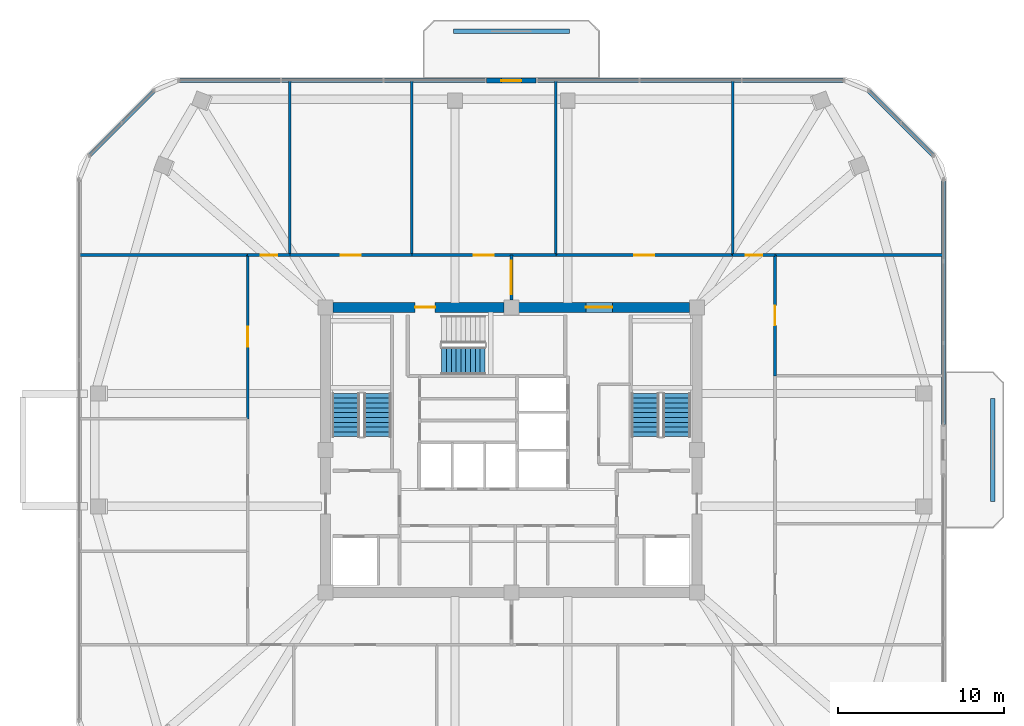
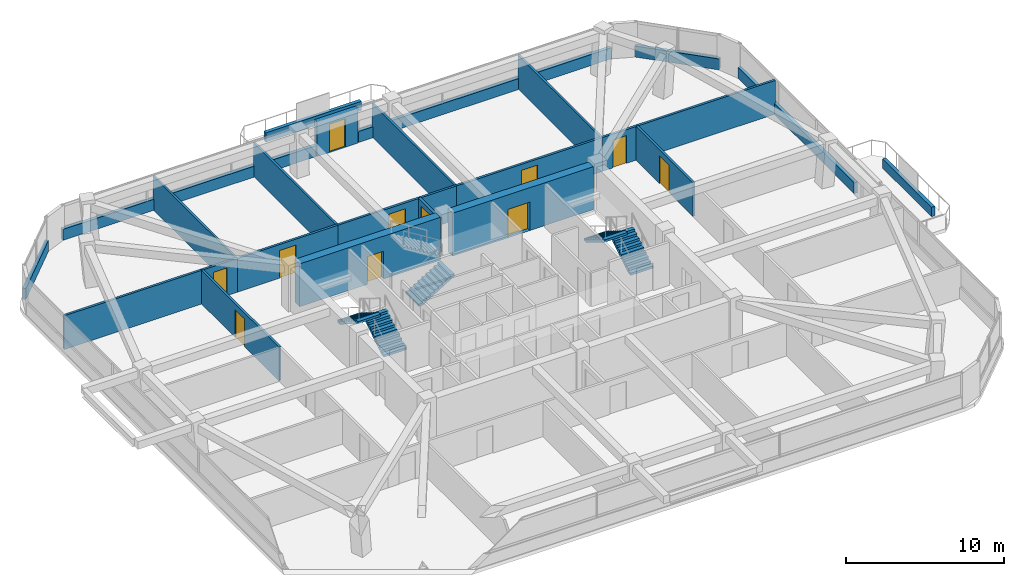
# One storey, part 11 of 14: 24 walls, 11 doors, 5 stair flights, 11 openings, 3 elements without a shape of their own.
"""IFC4 building model written with IfcOpenShell, lengths in metres."""

import ifcopenshell
import ifcopenshell.guid

model = None  # the IFC model being written
_history = None  # IfcOwnerHistory: only IFC2X3 demands one
_inside = {}  # id of a spatial element -> (the spatial element, [elements in it])
_under = {}  # id of a project, library or spatial element -> (it, [spatial elements below it])
_declared = {}  # id of a project -> (the project, [libraries it declares])
_typed = {}  # id of a type object -> (the type object, [elements of that type])
_made_of = {}  # id of a material, layer set ... -> (it, [elements and type objects made of it])


def new_model(schema):
    """Start an empty IFC model of exactly this schema.

    Asked for "IFC4X3", IfcOpenShell would pick the latest addendum, in which some entities
    have other attributes; the version numbers below select the first issue.
    IFC2X3 requires an IfcOwnerHistory on every rooted entity: one is made here for all.
    """
    global model, _history
    if schema == "IFC4X3":
        model = ifcopenshell.file(schema_version=(4, 3, 0, 0))
    else:
        model = ifcopenshell.file(schema=schema)
    _inside.clear()
    _under.clear()
    _declared.clear()
    _typed.clear()
    _made_of.clear()
    _history = None
    if model.schema == "IFC2X3":
        org = make("IfcOrganization", Name="unknown")
        user = make(
            "IfcPersonAndOrganization",
            ThePerson=make("IfcPerson", FamilyName="unknown"),
            TheOrganization=org,
        )
        app = make(
            "IfcApplication",
            ApplicationDeveloper=org,
            Version="unknown",
            ApplicationFullName="unknown",
            ApplicationIdentifier="unknown",
        )
        _history = make(
            "IfcOwnerHistory",
            OwningUser=user,
            OwningApplication=app,
            ChangeAction="ADDED",
            CreationDate=0,
        )
    return model


def make(cls, **values):
    """One entity of the class cls with the attributes given. An attribute that is None is left unset."""
    return model.create_entity(
        cls, **{name: value for name, value in values.items() if value is not None}
    )


def rooted(cls, **values):
    """An entity with a GlobalId (a new one), such as an element, a storey or a relation."""
    return make(cls, GlobalId=ifcopenshell.guid.new(), OwnerHistory=_history, **values)


def si_unit(unit_type, name, prefix=None):
    """IfcSIUnit, for example si_unit("LENGTHUNIT", "METRE", prefix="MILLI")."""
    return make("IfcSIUnit", UnitType=unit_type, Prefix=prefix, Name=name)


def derived_unit(unit_type, elements):
    """IfcDerivedUnit: a product of units, each with its exponent."""
    return make(
        "IfcDerivedUnit",
        Elements=[
            make("IfcDerivedUnitElement", Unit=unit, Exponent=power)
            for unit, power in elements
        ],
        UnitType=unit_type,
    )


def assignment(units):
    """IfcUnitAssignment: the units of a project."""
    return None if units is None else make("IfcUnitAssignment", Units=units)


def point(xyz):
    """IfcCartesianPoint."""
    return None if xyz is None else make("IfcCartesianPoint", Coordinates=xyz)


def direction(xyz):
    """IfcDirection."""
    return None if xyz is None else make("IfcDirection", DirectionRatios=xyz)


def frame(location, z_axis=None, x_axis=None):
    """IfcAxis2Placement3D, a coordinate frame: its origin and axes. An axis left out is left unset."""
    return make(
        "IfcAxis2Placement3D",
        Location=point(location),
        Axis=direction(z_axis),
        RefDirection=direction(x_axis),
    )


def frame_2d(location, x_axis=None):
    """IfcAxis2Placement2D, a coordinate frame in the plane: its origin and x axis."""
    return make(
        "IfcAxis2Placement2D", Location=point(location), RefDirection=direction(x_axis)
    )


def origin():
    """The frame at (0, 0, 0) with its axes left unset."""
    return frame((0.0, 0.0, 0.0))


def place(relative_to, where):
    """IfcLocalPlacement: puts the frame where relative to a parent placement (None: the world)."""
    return make(
        "IfcLocalPlacement", PlacementRelTo=relative_to, RelativePlacement=where
    )


def context(
    kind, dimensions, precision=None, world=None, true_north=None, identifier=None
):
    """IfcGeometricRepresentationContext, for example the 3D "Model" context."""
    return make(
        "IfcGeometricRepresentationContext",
        ContextIdentifier=identifier,
        ContextType=kind,
        CoordinateSpaceDimension=dimensions,
        Precision=precision,
        WorldCoordinateSystem=world,
        TrueNorth=true_north,
    )


def subcontext(parent, identifier, kind, view, scale=None):
    """IfcGeometricRepresentationSubContext, for example "Body" below "Model"."""
    return make(
        "IfcGeometricRepresentationSubContext",
        ContextIdentifier=identifier,
        ContextType=kind,
        ParentContext=parent,
        TargetScale=scale,
        TargetView=view,
    )


def project(units=None, contexts=None):
    """IfcProject with its units and contexts."""
    return rooted(
        "IfcProject",
        Name="project",
        RepresentationContexts=contexts,
        UnitsInContext=assignment(units),
    )


def spatial(cls, under=None, at=None, **own):
    """A site, building, storey or space (cls), placed at a placement, below another one or the project."""
    s = rooted(cls, ObjectPlacement=at, **own)
    if under is not None:
        _under.setdefault(under.id(), (under, []))[1].append(s)
    return s


def polyline(points):
    """IfcPolyline through the points."""
    return make("IfcPolyline", Points=[point(p) for p in points])


def profile(cls, at=None, kind="AREA", **sizes):
    """A parametric profile (cls). Its sizes go by their IFC names, for example OverallWidth=200.0."""
    return make(cls, ProfileType=kind, Position=at, **sizes)


def rectangle(**sizes):
    """IfcRectangleProfileDef."""
    return profile("IfcRectangleProfileDef", **sizes)


def outline(outer, holes=None, kind="AREA"):
    """IfcArbitraryClosedProfileDef: a profile drawn as a closed curve; with holes, ...WithVoids."""
    if holes is None:
        return make("IfcArbitraryClosedProfileDef", ProfileType=kind, OuterCurve=outer)
    return make(
        "IfcArbitraryProfileDefWithVoids",
        ProfileType=kind,
        OuterCurve=outer,
        InnerCurves=holes,
    )


def extrude(swept, where, along, depth):
    """IfcExtrudedAreaSolid: the profile swept, set in the frame where, extruded along a direction by depth."""
    return make(
        "IfcExtrudedAreaSolid",
        SweptArea=swept,
        Position=where,
        ExtrudedDirection=direction(along),
        Depth=depth,
    )


def shape(context_of_items, identifier, shape_type, items):
    """IfcShapeRepresentation: the items that make up one representation, for example the "Body"."""
    return make(
        "IfcShapeRepresentation",
        ContextOfItems=context_of_items,
        RepresentationIdentifier=identifier,
        RepresentationType=shape_type,
        Items=items,
    )


def material(Name=None, Category=None):
    """IfcMaterial."""
    return make("IfcMaterial", Name=Name, Category=Category)


def layer(
    of_material, thickness, ventilated=None, Name=None, Category=None, Priority=None
):
    """IfcMaterialLayer: one layer of a wall or slab, of a material (None: an air gap)."""
    return make(
        "IfcMaterialLayer",
        Material=of_material,
        LayerThickness=thickness,
        IsVentilated=ventilated,
        Name=Name,
        Category=Category,
        Priority=Priority,
    )


def layer_set(layers, Name=None):
    """IfcMaterialLayerSet."""
    return make("IfcMaterialLayerSet", MaterialLayers=layers, LayerSetName=Name)


def made_of(thing, what):
    """Note that an element or type object is made of a material, layer set ...; save() writes the relation."""
    if what is not None:
        _made_of.setdefault(what.id(), (what, []))[1].append(thing)
    return thing


def type_object(cls, material=None, **own):
    """A type object (cls), such as IfcWallType, which elements share."""
    return made_of(rooted(cls, **own), material)


def element(
    cls,
    number,
    at=None,
    inside=None,
    cuts=None,
    type_object=None,
    material=None,
    context=None,
    identifier="Body",
    shape_type=None,
    held_by="IfcProductDefinitionShape",
    body=None,
    shapes=None,
    **own,
):
    """One element of the class cls, such as IfcWall. Its Tag is "e" and its number.

    at: its placement. inside: the storey or other place that contains it. cuts: it is an
    opening in that element (IfcRelVoidsElement). A single representation is given by context,
    identifier, shape_type and body (its items); several are given by shapes. held_by: the class
    of the entity that holds the representations. save() writes the other relations.
    """
    e = rooted(cls, Tag="e%d" % number, ObjectPlacement=at, **own)
    if body is not None:
        shapes = [shape(context, identifier, shape_type, body)]
    if shapes is not None:
        e.Representation = make(held_by, Representations=shapes)
    if inside is not None:
        _inside.setdefault(inside.id(), (inside, []))[1].append(e)
    if cuts is not None:
        rooted(
            "IfcRelVoidsElement", RelatingBuildingElement=cuts, RelatedOpeningElement=e
        )
    if type_object is not None:
        _typed.setdefault(type_object.id(), (type_object, []))[1].append(e)
    return made_of(e, material)


def fill(opening, filler):
    """IfcRelFillsElement: the door or window that sits in an opening."""
    return rooted(
        "IfcRelFillsElement",
        RelatingOpeningElement=opening,
        RelatedBuildingElement=filler,
    )


def aggregate(whole, parts):
    """IfcRelAggregates: a whole, such as a stair, and the parts it consists of."""
    return rooted("IfcRelAggregates", RelatingObject=whole, RelatedObjects=parts)


def save(model, path):
    """Write the relations noted so far, then the file.

    IfcRelAggregates (storeys below a building ...), IfcRelContainedInSpatialStructure (elements
    in a storey), IfcRelDefinesByType, IfcRelAssociatesMaterial and IfcRelDeclares: one each for
    every whole, place, type object, material and project.
    """
    for whole, parts in _under.values():
        aggregate(whole, parts)
    for where, things in _inside.values():
        rooted(
            "IfcRelContainedInSpatialStructure",
            RelatedElements=things,
            RelatingStructure=where,
        )
    for kind, things in _typed.values():
        rooted("IfcRelDefinesByType", RelatedObjects=things, RelatingType=kind)
    for what, things in _made_of.values():
        rooted("IfcRelAssociatesMaterial", RelatedObjects=things, RelatingMaterial=what)
    for by, libraries in _declared.values():
        rooted("IfcRelDeclares", RelatingContext=by, RelatedDefinitions=libraries)
    model.write(path)


model = new_model("IFC4")

# Units and contexts
model_context = context("Model", 3, precision=1e-05, world=origin(), true_north=direction((0.0, 1.0)))
body_context = subcontext(model_context, "Body", "Model", "MODEL_VIEW")
ifc_project = project(units=[si_unit("LENGTHUNIT", "METRE"), si_unit("AREAUNIT", "SQUARE_METRE"), si_unit("VOLUMEUNIT", "CUBIC_METRE"), si_unit("PLANEANGLEUNIT", "RADIAN"), si_unit("MASSUNIT", "GRAM", prefix="KILO"), derived_unit("THERMALTRANSMITTANCEUNIT", [(si_unit("POWERUNIT", "WATT"), 1), (si_unit("LENGTHUNIT", "METRE"), -2), (si_unit("THERMODYNAMICTEMPERATUREUNIT", "KELVIN"), -1)])], contexts=[model_context])

# Site, building, storey
site_placement = place(None, origin())
site = spatial("IfcSite", under=ifc_project, at=site_placement, CompositionType="ELEMENT")
building_placement = place(site_placement, origin())
building = spatial("IfcBuilding", under=site, at=building_placement, Name="Koralith Skygarden Medical Center", CompositionType="ELEMENT")
storey_placement = place(building_placement, frame((0.0, 0.0, 210.780029296875)))
storey = spatial("IfcBuildingStorey", under=building, at=storey_placement, Name="L54", CompositionType="ELEMENT", Elevation=210.780029296875)

# Walls
ifc_material_1 = material(Name="Gypsum Board Partition")
ifc_layer_1 = layer(ifc_material_1, 0.14990234375)
ifc_layer_set_1 = layer_set([ifc_layer_1], Name="Gypsum Board Partition")
wall_type_1 = type_object("IfcWallType", Name="Clinical Acoustic Partition 150", PredefinedType="PARTITIONING", material=ifc_layer_set_1)
for number, where, z_axis, x_axis, name in (
    (1, (23.64990234375, 37.64990234375, 0.0), (0.0, 0.0, 1.0), (0.0, 1.0, 0.0), "L54 Clinical Acoustic Partition 150 W-PART-L54-N-01"),
    (2, (30.99609375, 37.64990234375, 0.0), (0.0, 0.0, 1.0), (0.0, 1.0, 0.0), "L54 Clinical Acoustic Partition 150 W-PART-L54-N-02"),
    (3, (39.680908203125, 37.64990234375, 0.0), (0.0, 0.0, 1.0), (0.0, 1.0, 0.0), "L54 Clinical Acoustic Partition 150 W-PART-L54-N-03"),
    (4, (50.35009765625, 37.64990234375, 0.0), (0.0, 0.0, 1.0), (0.0, 1.0, 0.0), "L54 Clinical Acoustic Partition 150 W-PART-L54-N-04"),
):
    element("IfcWall", number, at=place(storey_placement, frame(where, z_axis=z_axis, x_axis=x_axis)), inside=storey, type_object=wall_type_1, Name=name, PredefinedType="PARTITIONING", context=body_context, shape_type="SweptSolid", body=[
        extrude(rectangle(XDim=10.503173828125, YDim=0.14990234375, at=frame_2d((5.25146484375, 0.0))), origin(), (0.0, 0.0, 1.0), 2.60986328125),
    ])
ifc_layer_2 = layer(ifc_material_1, 0.1650390625)
ifc_layer_set_2 = layer_set([ifc_layer_2], Name="Gypsum Board Partition")
wall_type_2 = type_object("IfcWallType", Name="Clinical Corridor Partition 165", PredefinedType="PARTITIONING", material=ifc_layer_set_2)
for number, where, z_axis, x_axis, name in (
    (5, (10.965087890625, 37.64990234375, 0.0), (0.0, 0.0, 1.0), (1.0, 0.0, 0.0), "L54 Clinical Corridor Partition 165 W-WB-L54-NW"),
    (6, (52.89990234375, 37.64990234375, 0.0), (0.0, 0.0, 1.0), (1.0, 0.0, 0.0), "L54 Clinical Corridor Partition 165 W-WB-L54-NE"),
):
    element("IfcWall", number, at=place(storey_placement, frame(where, z_axis=z_axis, x_axis=x_axis)), inside=storey, type_object=wall_type_2, Name=name, PredefinedType="PARTITIONING", context=body_context, shape_type="SweptSolid", body=[
        extrude(rectangle(XDim=10.135009765625, YDim=0.1650390625, at=frame_2d((5.0673828125, 0.0))), origin(), (0.0, 0.0, 1.0), 2.60986328125),
    ])

# Wall, opening, door
wall_1_placement = place(storey_placement, frame((21.10009765625, 37.64990234375, 0.0), z_axis=(0.0, 0.0, 1.0), x_axis=(1.0, 0.0, 0.0)))
wall_1 = element("IfcWall", 7, at=wall_1_placement, inside=storey, type_object=wall_type_2, Name="L54 Clinical Corridor Partition 165 W-CORR-L54-N-01", PredefinedType="PARTITIONING", context=body_context, shape_type="SweptSolid", body=[
    extrude(rectangle(XDim=2.5498046875, YDim=0.1650390625, at=frame_2d((1.27490234375, 0.0))), origin(), (0.0, 0.0, 1.0), 2.60986328125),
])
opening_1_placement = place(wall_1_placement, frame((0.77490234375, 0.0, 0.0)))
opening_1 = element("IfcOpeningElement", 8, at=opening_1_placement, cuts=wall_1, Name="Opening D-SUP", PredefinedType="OPENING", context=body_context, shape_type="SweptSolid", body=[
    extrude(rectangle(XDim=1.0, YDim=2.14990234375, at=frame_2d((0.5, 1.074951171875))), frame((0.0, 0.092529296875, 0.0), z_axis=(0.0, -1.0, 0.0), x_axis=(1.0, 0.0, 0.0)), (0.0, 0.0, 1.0), 0.18505859375),
])
ifc_material_2 = material(Name="Aluminium 6063-T6", Category="aluminium")
door_type_1 = type_object("IfcDoorType", Name="Clinical Support Door D-SUP 1000", OperationType="NOTDEFINED", PredefinedType="DOOR", material=ifc_material_2)
door_1_placement = place(opening_1_placement, origin())
door_1 = element("IfcDoor", 9, at=door_1_placement, inside=storey, type_object=door_type_1, Name="L54 Pharmacy Bulk IV Supply Store 01 Door", OperationType="SINGLE_SWING_RIGHT", OverallHeight=2.14990234375, OverallWidth=1.0, PredefinedType="DOOR", context=body_context, shape_type="SweptSolid", body=[
    extrude(rectangle(XDim=1.0, YDim=2.14990234375, at=frame_2d((0.5, 1.074951171875))), frame((0.0, 0.02490234375, 0.0), z_axis=(0.0, -1.0, 0.0), x_axis=(1.0, 0.0, 0.0)), (0.0, 0.0, 1.0), 0.050048828125),
])
fill(opening_1, door_1)

wall_2_placement = place(storey_placement, frame((23.64990234375, 37.64990234375, 0.0), z_axis=(0.0, 0.0, 1.0), x_axis=(1.0, 0.0, 0.0)))
wall_2 = element("IfcWall", 10, at=wall_2_placement, inside=storey, type_object=wall_type_2, Name="L54 Clinical Corridor Partition 165 W-CORR-L54-N-02", PredefinedType="PARTITIONING", context=body_context, shape_type="SweptSolid", body=[
    extrude(rectangle(XDim=7.34619140625, YDim=0.1650390625, at=frame_2d((3.673095703125, 0.0))), origin(), (0.0, 0.0, 1.0), 2.60986328125),
])
opening_2_placement = place(wall_2_placement, frame((3.072998046875, 0.0, 0.0)))
opening_2 = element("IfcOpeningElement", 11, at=opening_2_placement, cuts=wall_2, Name="Opening D-CLN", PredefinedType="OPENING", context=body_context, shape_type="SweptSolid", body=[
    extrude(rectangle(XDim=1.199951171875, YDim=2.14990234375, at=frame_2d((0.60009765625, 1.074951171875))), frame((0.0, 0.092529296875, 0.0), z_axis=(0.0, -1.0, 0.0), x_axis=(1.0, 0.0, 0.0)), (0.0, 0.0, 1.0), 0.18505859375),
])
door_type_2 = type_object("IfcDoorType", Name="Clinical Corridor Door D-CLN 1200", OperationType="NOTDEFINED", PredefinedType="DOOR", material=ifc_material_2)
door_2_placement = place(opening_2_placement, origin())
door_2 = element("IfcDoor", 12, at=door_2_placement, inside=storey, type_object=door_type_2, Name="L54 Sterile Catheter Supply Store 02 Door", OperationType="SINGLE_SWING_LEFT", OverallHeight=2.14990234375, OverallWidth=1.199951171875, PredefinedType="DOOR", context=body_context, shape_type="SweptSolid", body=[
    extrude(rectangle(XDim=1.199951171875, YDim=2.14990234375, at=frame_2d((0.60009765625, 1.074951171875))), frame((0.0, 0.02490234375, 0.0), z_axis=(0.0, -1.0, 0.0), x_axis=(1.0, 0.0, 0.0)), (0.0, 0.0, 1.0), 0.050048828125),
])
fill(opening_2, door_2)

wall_3_placement = place(storey_placement, frame((30.99609375, 37.64990234375, 0.0), z_axis=(0.0, 0.0, 1.0), x_axis=(1.0, 0.0, 0.0)))
wall_3 = element("IfcWall", 13, at=wall_3_placement, inside=storey, type_object=wall_type_2, Name="L54 Clinical Corridor Partition 165 W-CORR-L54-N-03", PredefinedType="PARTITIONING", context=body_context, shape_type="SweptSolid", body=[
    extrude(rectangle(XDim=8.684814453125, YDim=0.1650390625, at=frame_2d((4.34228515625, 0.0))), origin(), (0.0, 0.0, 1.0), 2.60986328125),
])
opening_3_placement = place(wall_3_placement, frame((3.741943359375, 0.0, 0.0)))
opening_3 = element("IfcOpeningElement", 14, at=opening_3_placement, cuts=wall_3, Name="Opening D-CLN", PredefinedType="OPENING", context=body_context, shape_type="SweptSolid", body=[
    extrude(rectangle(XDim=1.199951171875, YDim=2.14990234375, at=frame_2d((0.60009765625, 1.074951171875))), frame((0.0, 0.092529296875, 0.0), z_axis=(0.0, -1.0, 0.0), x_axis=(1.0, 0.0, 0.0)), (0.0, 0.0, 1.0), 0.18505859375),
])
door_3_placement = place(opening_3_placement, origin())
door_3 = element("IfcDoor", 15, at=door_3_placement, inside=storey, type_object=door_type_2, Name="L54 Patient and Family Sky-Garden Day Lounge 03 Door", OperationType="SINGLE_SWING_RIGHT", OverallHeight=2.14990234375, OverallWidth=1.199951171875, PredefinedType="DOOR", context=body_context, shape_type="SweptSolid", body=[
    extrude(rectangle(XDim=1.199951171875, YDim=2.14990234375, at=frame_2d((0.60009765625, 1.074951171875))), frame((0.0, 0.02490234375, 0.0), z_axis=(0.0, -1.0, 0.0), x_axis=(1.0, 0.0, 0.0)), (0.0, 0.0, 1.0), 0.050048828125),
])
fill(opening_3, door_3)

wall_4_placement = place(storey_placement, frame((39.680908203125, 37.64990234375, 0.0), z_axis=(0.0, 0.0, 1.0), x_axis=(1.0, 0.0, 0.0)))
wall_4 = element("IfcWall", 16, at=wall_4_placement, inside=storey, type_object=wall_type_2, Name="L54 Clinical Corridor Partition 165 W-CORR-L54-N-04", PredefinedType="PARTITIONING", context=body_context, shape_type="SweptSolid", body=[
    extrude(rectangle(XDim=10.669189453125, YDim=0.1650390625, at=frame_2d((5.33447265625, 0.0))), origin(), (0.0, 0.0, 1.0), 2.60986328125),
])
opening_4_placement = place(wall_4_placement, frame((4.735107421875, 0.0, 0.0)))
opening_4 = element("IfcOpeningElement", 17, at=opening_4_placement, cuts=wall_4, Name="Opening D-CLN", PredefinedType="OPENING", context=body_context, shape_type="SweptSolid", body=[
    extrude(rectangle(XDim=1.199951171875, YDim=2.14990234375, at=frame_2d((0.60009765625, 1.074951171875))), frame((0.0, 0.092529296875, 0.0), z_axis=(0.0, -1.0, 0.0), x_axis=(1.0, 0.0, 0.0)), (0.0, 0.0, 1.0), 0.18505859375),
])
door_4_placement = place(opening_4_placement, origin())
door_4 = element("IfcDoor", 18, at=door_4_placement, inside=storey, type_object=door_type_2, Name="L54 Clinical Trials Huddle Room 04 Door", OperationType="SINGLE_SWING_LEFT", OverallHeight=2.14990234375, OverallWidth=1.199951171875, PredefinedType="DOOR", context=body_context, shape_type="SweptSolid", body=[
    extrude(rectangle(XDim=1.199951171875, YDim=2.14990234375, at=frame_2d((0.60009765625, 1.074951171875))), frame((0.0, 0.02490234375, 0.0), z_axis=(0.0, -1.0, 0.0), x_axis=(1.0, 0.0, 0.0)), (0.0, 0.0, 1.0), 0.050048828125),
])
fill(opening_4, door_4)

wall_5_placement = place(storey_placement, frame((50.35009765625, 37.64990234375, 0.0), z_axis=(0.0, 0.0, 1.0), x_axis=(1.0, 0.0, 0.0)))
wall_5 = element("IfcWall", 19, at=wall_5_placement, inside=storey, type_object=wall_type_2, Name="L54 Clinical Corridor Partition 165 W-CORR-L54-N-05", PredefinedType="PARTITIONING", context=body_context, shape_type="SweptSolid", body=[
    extrude(rectangle(XDim=2.5498046875, YDim=0.1650390625, at=frame_2d((1.27490234375, 0.0))), origin(), (0.0, 0.0, 1.0), 2.60986328125),
])
opening_5_placement = place(wall_5_placement, frame((0.77490234375, 0.0, 0.0)))
opening_5 = element("IfcOpeningElement", 20, at=opening_5_placement, cuts=wall_5, Name="Opening D-SUP", PredefinedType="OPENING", context=body_context, shape_type="SweptSolid", body=[
    extrude(rectangle(XDim=1.0, YDim=2.14990234375, at=frame_2d((0.5, 1.074951171875))), frame((0.0, 0.092529296875, 0.0), z_axis=(0.0, -1.0, 0.0), x_axis=(1.0, 0.0, 0.0)), (0.0, 0.0, 1.0), 0.18505859375),
])
door_5_placement = place(opening_5_placement, origin())
door_5 = element("IfcDoor", 21, at=door_5_placement, inside=storey, type_object=door_type_1, Name="L54 Clinical Consultation Office 05 Door", OperationType="SINGLE_SWING_RIGHT", OverallHeight=2.14990234375, OverallWidth=1.0, PredefinedType="DOOR", context=body_context, shape_type="SweptSolid", body=[
    extrude(rectangle(XDim=1.0, YDim=2.14990234375, at=frame_2d((0.5, 1.074951171875))), frame((0.0, 0.02490234375, 0.0), z_axis=(0.0, -1.0, 0.0), x_axis=(1.0, 0.0, 0.0)), (0.0, 0.0, 1.0), 0.050048828125),
])
fill(opening_5, door_5)

wall_6_placement = place(storey_placement, frame((21.10009765625, 27.780029296875, 0.0), z_axis=(0.0, 0.0, 1.0), x_axis=(0.0, 1.0, 0.0)))
wall_6 = element("IfcWall", 22, at=wall_6_placement, inside=storey, type_object=wall_type_2, Name="L54 Clinical Corridor Partition 165 W-CORR-L54-W-03", PredefinedType="PARTITIONING", context=body_context, shape_type="SweptSolid", body=[
    extrude(rectangle(XDim=9.869873046875, YDim=0.1650390625, at=frame_2d((4.93505859375, 0.0))), origin(), (0.0, 0.0, 1.0), 2.60986328125),
])
opening_6_placement = place(wall_6_placement, frame((4.3349609375, 0.0, 0.0)))
opening_6 = element("IfcOpeningElement", 23, at=opening_6_placement, cuts=wall_6, Name="Opening D-CLN", PredefinedType="OPENING", context=body_context, shape_type="SweptSolid", body=[
    extrude(rectangle(XDim=1.199951171875, YDim=2.14990234375, at=frame_2d((0.60009765625, 1.074951171875))), frame((0.0, 0.092529296875, 0.0), z_axis=(0.0, -1.0, 0.0), x_axis=(1.0, 0.0, 0.0)), (0.0, 0.0, 1.0), 0.18505859375),
])
door_6_placement = place(opening_6_placement, frame((1.199951171875, 0.0, 0.0), z_axis=(0.0, 0.0, 1.0), x_axis=(-1.0, 0.0, 0.0)))
door_6 = element("IfcDoor", 24, at=door_6_placement, inside=storey, type_object=door_type_2, Name="L54 Clinical Consultation Office 13 Door", OperationType="SINGLE_SWING_RIGHT", OverallHeight=2.14990234375, OverallWidth=1.199951171875, PredefinedType="DOOR", context=body_context, shape_type="SweptSolid", body=[
    extrude(rectangle(XDim=1.199951171875, YDim=2.14990234375, at=frame_2d((0.60009765625, 1.074951171875))), frame((0.0, 0.02490234375, 0.0), z_axis=(0.0, -1.0, 0.0), x_axis=(1.0, 0.0, 0.0)), (0.0, 0.0, 1.0), 0.050048828125),
])
fill(opening_6, door_6)

wall_7_placement = place(storey_placement, frame((52.89990234375, 30.364990234375, 0.0), z_axis=(0.0, 0.0, 1.0), x_axis=(0.0, 1.0, 0.0)))
wall_7 = element("IfcWall", 25, at=wall_7_placement, inside=storey, type_object=wall_type_2, Name="L54 Clinical Corridor Partition 165 W-CORR-L54-E-03", PredefinedType="PARTITIONING", context=body_context, shape_type="SweptSolid", body=[
    extrude(rectangle(XDim=7.284912109375, YDim=0.1650390625, at=frame_2d((3.642578125, 0.0))), origin(), (0.0, 0.0, 1.0), 2.60986328125),
])
opening_7_placement = place(wall_7_placement, frame((3.0419921875, 0.0, 0.0)))
opening_7 = element("IfcOpeningElement", 26, at=opening_7_placement, cuts=wall_7, Name="Opening D-CLN", PredefinedType="OPENING", context=body_context, shape_type="SweptSolid", body=[
    extrude(rectangle(XDim=1.199951171875, YDim=2.14990234375, at=frame_2d((0.60009765625, 1.074951171875))), frame((0.0, 0.092529296875, 0.0), z_axis=(0.0, -1.0, 0.0), x_axis=(1.0, 0.0, 0.0)), (0.0, 0.0, 1.0), 0.18505859375),
])
door_7_placement = place(opening_7_placement, origin())
door_7 = element("IfcDoor", 27, at=door_7_placement, inside=storey, type_object=door_type_2, Name="L54 Sterile Catheter Supply Store 16 Door", OperationType="SINGLE_SWING_LEFT", OverallHeight=2.14990234375, OverallWidth=1.199951171875, PredefinedType="DOOR", context=body_context, shape_type="SweptSolid", body=[
    extrude(rectangle(XDim=1.199951171875, YDim=2.14990234375, at=frame_2d((0.60009765625, 1.074951171875))), frame((0.0, 0.02490234375, 0.0), z_axis=(0.0, -1.0, 0.0), x_axis=(1.0, 0.0, 0.0)), (0.0, 0.0, 1.0), 0.050048828125),
])
fill(opening_7, door_7)

ifc_layer_3 = layer(ifc_material_1, 0.179931640625)
ifc_layer_set_3 = layer_set([ifc_layer_3], Name="Gypsum Board Partition")
wall_type_3 = type_object("IfcWallType", Name="Group I-2 Smoke Barrier Wall 180", PredefinedType="PARTITIONING", material=ifc_layer_set_3)
wall_8_placement = place(storey_placement, frame((37.0, 34.949951171875, 0.0), z_axis=(0.0, 0.0, 1.0), x_axis=(0.0, 1.0, 0.0)))
wall_8 = element("IfcWall", 28, at=wall_8_placement, inside=storey, type_object=wall_type_3, Name="L54 Group I-2 Smoke Barrier Wall 180 W-SMK-L54-N", PredefinedType="PARTITIONING", context=body_context, shape_type="SweptSolid", body=[
    extrude(rectangle(XDim=2.699951171875, YDim=0.179931640625, at=frame_2d((1.35009765625, 0.0))), origin(), (0.0, 0.0, 1.0), 2.60986328125),
])
opening_8_placement = place(wall_8_placement, frame((0.35009765625, 0.0, 0.0)))
opening_8 = element("IfcOpeningElement", 29, at=opening_8_placement, cuts=wall_8, Name="Opening D-SMK", PredefinedType="OPENING", context=body_context, shape_type="SweptSolid", body=[
    extrude(rectangle(XDim=2.0, YDim=2.199951171875, at=frame_2d((1.0, 1.10009765625))), frame((0.0, 0.099853515625, 0.0), z_axis=(0.0, -1.0, 0.0), x_axis=(1.0, 0.0, 0.0)), (0.0, 0.0, 1.0), 0.199951171875),
])
ifc_material_3 = material(Name="Steel ASTM A500 Grade C", Category="steel")
door_type_3 = type_object("IfcDoorType", Name="Cross-Corridor Double Smoke Door FD60S 2000", OperationType="NOTDEFINED", PredefinedType="DOOR", material=ifc_material_3)
door_8_placement = place(opening_8_placement, origin())
door_8 = element("IfcDoor", 30, at=door_8_placement, inside=storey, type_object=door_type_3, Name="L54 N Smoke Compartment Cross-Corridor Door", OperationType="DOUBLE_DOOR_SINGLE_SWING", OverallHeight=2.199951171875, OverallWidth=2.0, PredefinedType="DOOR", context=body_context, shape_type="SweptSolid", body=[
    extrude(rectangle(XDim=2.0, YDim=2.199951171875, at=frame_2d((1.0, 1.10009765625))), frame((0.0, 0.02490234375, 0.0), z_axis=(0.0, -1.0, 0.0), x_axis=(1.0, 0.0, 0.0)), (0.0, 0.0, 1.0), 0.050048828125),
])
fill(opening_8, door_8)

# Walls
ifc_material_4 = material(Name="Warm Oolitic Limestone Cladding", Category="masonry")
ifc_layer_4 = layer(ifc_material_4, 0.239990234375)
ifc_layer_set_4 = layer_set([ifc_layer_4], Name="Warm Oolitic Limestone Cladding")
wall_type_4 = type_object("IfcWallType", Name="Limestone Spandrel Sill Backup Wall 240", PredefinedType="SOLIDWALL", material=ifc_layer_set_4)
wall_9_placement = place(storey_placement, frame((63.054931640625, 27.43896484375, 0.0), z_axis=(0.0, 0.0, 1.0), x_axis=(0.0, 1.0, 0.0)))
element("IfcWall", 31, at=wall_9_placement, inside=storey, type_object=wall_type_4, Name="L54 Sill Spandrel E-R", PredefinedType="SOLIDWALL", context=body_context, shape_type="SweptSolid", body=[
    extrude(rectangle(XDim=14.759033203125, YDim=0.239990234375, at=frame_2d((7.37939453125, 0.0))), origin(), (0.0, 0.0, 1.0), 0.849853515625),
])
wall_10_placement = place(storey_placement, frame((62.4541015625, 43.64892578125, 0.0), z_axis=(0.0, 0.0, 1.0), x_axis=(-0.707106781187, 0.707106781187, 0.0)))
element("IfcWall", 32, at=wall_10_placement, inside=storey, type_object=wall_type_4, Name="L54 Sill Spandrel NE", PredefinedType="SOLIDWALL", context=body_context, shape_type="SweptSolid", body=[
    extrude(rectangle(XDim=5.548095703125, YDim=0.239990234375, at=frame_2d((2.77392578125, 0.0))), origin(), (0.0, 0.0, 1.0), 0.849853515625),
])
wall_11_placement = place(storey_placement, frame((57.080078125, 48.173095703125, 0.0), z_axis=(0.0, 0.0, 1.0), x_axis=(-1.0, 0.0, 0.0)))
element("IfcWall", 33, at=wall_11_placement, inside=storey, type_object=wall_type_4, Name="L54 Sill Spandrel N-L", PredefinedType="SOLIDWALL", context=body_context, shape_type="SweptSolid", body=[
    extrude(rectangle(XDim=18.5390625, YDim=0.239990234375, at=frame_2d((9.26953125, 0.0))), origin(), (0.0, 0.0, 1.0), 0.849853515625),
])
wall_12_placement = place(storey_placement, frame((35.4609375, 48.173095703125, 0.0), z_axis=(0.0, 0.0, 1.0), x_axis=(-1.0, 0.0, 0.0)))
element("IfcWall", 34, at=wall_12_placement, inside=storey, type_object=wall_type_4, Name="L54 Sill Spandrel N-R", PredefinedType="SOLIDWALL", context=body_context, shape_type="SweptSolid", body=[
    extrude(rectangle(XDim=18.541015625, YDim=0.239990234375, at=frame_2d((9.2705078125, 0.0))), origin(), (0.0, 0.0, 1.0), 0.849853515625),
])
wall_13_placement = place(storey_placement, frame((15.468994140625, 47.572021484375, 0.0), z_axis=(0.0, 0.0, 1.0), x_axis=(-0.707106781187, -0.707106781187, 0.0)))
element("IfcWall", 35, at=wall_13_placement, inside=storey, type_object=wall_type_4, Name="L54 Sill Spandrel NW", PredefinedType="SOLIDWALL", context=body_context, shape_type="SweptSolid", body=[
    extrude(rectangle(XDim=5.548095703125, YDim=0.239990234375, at=frame_2d((2.77392578125, 0.0))), origin(), (0.0, 0.0, 1.0), 0.849853515625),
])

# Wall, opening, door
ifc_layer_5 = layer(ifc_material_4, 0.300048828125)
ifc_layer_set_5 = layer_set([ifc_layer_5], Name="Warm Oolitic Limestone Cladding")
wall_type_5 = type_object("IfcWallType", Name="Oolitic Limestone Insulated Facade Wall 300", PredefinedType="SOLIDWALL", material=ifc_layer_set_5)
wall_14_placement = place(storey_placement, frame((38.5009765625, 48.173095703125, 0.0), z_axis=(0.0, 0.0, 1.0), x_axis=(-1.0, 0.0, 0.0)))
wall_14 = element("IfcWall", 36, at=wall_14_placement, inside=storey, type_object=wall_type_5, Name="L54 Terrace Portal Wall N", PredefinedType="SOLIDWALL", context=body_context, shape_type="SweptSolid", body=[
    extrude(rectangle(XDim=3.0, YDim=0.300048828125, at=frame_2d((1.5, 0.0))), origin(), (0.0, 0.0, 1.0), 2.68994140625),
])
opening_9_placement = place(wall_14_placement, frame((0.89990234375, 0.0, 0.0)))
opening_9 = element("IfcOpeningElement", 37, at=opening_9_placement, cuts=wall_14, Name="Opening D-BAL", PredefinedType="OPENING", context=body_context, shape_type="SweptSolid", body=[
    extrude(rectangle(XDim=1.199951171875, YDim=2.199951171875, at=frame_2d((0.60009765625, 1.10009765625))), frame((0.0, 0.159912109375, 0.0), z_axis=(0.0, -1.0, 0.0), x_axis=(1.0, 0.0, 0.0)), (0.0, 0.0, 1.0), 0.320068359375),
])
door_type_4 = type_object("IfcDoorType", Name="Planted Balcony Glazed Terrace Door D-BAL 1200", OperationType="NOTDEFINED", PredefinedType="DOOR", material=ifc_material_2)
door_9_placement = place(opening_9_placement, origin())
door_9 = element("IfcDoor", 38, at=door_9_placement, inside=storey, type_object=door_type_4, Name="L54 N Outdoor Terrace Access Door", OperationType="SINGLE_SWING_LEFT", OverallHeight=2.199951171875, OverallWidth=1.199951171875, PredefinedType="DOOR", context=body_context, shape_type="SweptSolid", body=[
    extrude(rectangle(XDim=1.199951171875, YDim=2.199951171875, at=frame_2d((0.60009765625, 1.10009765625))), frame((0.0, 0.02490234375, 0.0), z_axis=(0.0, -1.0, 0.0), x_axis=(1.0, 0.0, 0.0)), (0.0, 0.0, 1.0), 0.050048828125),
])
fill(opening_9, door_9)

# Walls
ifc_material_5 = material(Name="Precast concrete C40/50", Category="concrete")
ifc_layer_6 = layer(ifc_material_5, 0.25)
ifc_layer_set_6 = layer_set([ifc_layer_6], Name="Precast concrete C40/50")
wall_type_6 = type_object("IfcWallType", Name="Structural Concrete Balcony Planter Kerb 250", PredefinedType="PARAPET", material=ifc_layer_set_6)
wall_15_placement = place(storey_placement, frame((33.5, 51.153076171875, 0.0), z_axis=(0.0, 0.0, 1.0), x_axis=(1.0, 0.0, 0.0)))
element("IfcWall", 39, at=wall_15_placement, inside=storey, type_object=wall_type_6, Name="L54 N Structural Tree PLANTER Box", PredefinedType="PARAPET", context=body_context, shape_type="SweptSolid", body=[
    extrude(rectangle(XDim=7.0, YDim=0.25, at=frame_2d((3.5, 0.0))), origin(), (0.0, 0.0, 1.0), 0.719970703125),
])
wall_16_placement = place(storey_placement, frame((66.034912109375, 22.800048828125, 0.0), z_axis=(0.0, 0.0, 1.0), x_axis=(0.0, 1.0, 0.0)))
element("IfcWall", 40, at=wall_16_placement, inside=storey, type_object=wall_type_6, Name="L54 E Structural Tree PLANTER Box", PredefinedType="PARAPET", context=body_context, shape_type="SweptSolid", body=[
    extrude(rectangle(XDim=6.199951171875, YDim=0.25, at=frame_2d((3.10009765625, 0.0))), origin(), (0.0, 0.0, 1.0), 0.719970703125),
])

# Wall, opening, door
ifc_material_6 = material(Name="Concrete C55/67", Category="concrete")
ifc_layer_7 = layer(ifc_material_6, 0.60009765625)
ifc_layer_set_7 = layer_set([ifc_layer_7], Name="Concrete C55/67")
wall_type_7 = type_object("IfcWallType", Name="Upper Core Shear Wall 600", PredefinedType="SHEAR", material=ifc_layer_set_7)
wall_17_placement = place(storey_placement, frame((47.7548828125, 34.5, 0.0), z_axis=(0.0, 0.0, 1.0), x_axis=(-1.0, 0.0, 0.0)))
wall_17 = element("IfcWall", 41, at=wall_17_placement, inside=storey, type_object=wall_type_7, Name="L54 Core Shear Wall Segment 5", PredefinedType="SHEAR", context=body_context, shape_type="SweptSolid", body=[
    extrude(rectangle(XDim=10.309814453125, YDim=0.60009765625, at=frame_2d((5.15478515625, 0.0))), origin(), (0.0, 0.0, 1.0), 3.320068359375),
])
opening_10_placement = place(wall_17_placement, frame((4.655029296875, 0.0, 0.0)))
opening_10 = element("IfcOpeningElement", 42, at=opening_10_placement, cuts=wall_17, Name="Opening D-DBL", PredefinedType="OPENING", context=body_context, shape_type="SweptSolid", body=[
    extrude(rectangle(XDim=1.60009765625, YDim=2.199951171875, at=frame_2d((0.800048828125, 1.10009765625))), frame((0.0, 0.31005859375, 0.0), z_axis=(0.0, -1.0, 0.0), x_axis=(1.0, 0.0, 0.0)), (0.0, 0.0, 1.0), 0.6201171875),
])
door_type_5 = type_object("IfcDoorType", Name="Double Clinical Suite Door D-DBL 1600", OperationType="NOTDEFINED", PredefinedType="DOOR", material=ifc_material_2)
door_10_placement = place(opening_10_placement, frame((1.60009765625, 0.0, 0.0), z_axis=(0.0, 0.0, 1.0), x_axis=(-1.0, 0.0, 0.0)))
door_10 = element("IfcDoor", 43, at=door_10_placement, inside=storey, type_object=door_type_5, Name="L54 North-East Corridor to Elevator Lobby Door", OperationType="DOUBLE_DOOR_SINGLE_SWING", OverallHeight=2.199951171875, OverallWidth=1.60009765625, PredefinedType="DOOR", context=body_context, shape_type="SweptSolid", body=[
    extrude(rectangle(XDim=1.60009765625, YDim=2.199951171875, at=frame_2d((0.800048828125, 1.10009765625))), frame((0.0, 0.02490234375, 0.0), z_axis=(0.0, -1.0, 0.0), x_axis=(1.0, 0.0, 0.0)), (0.0, 0.0, 1.0), 0.050048828125),
])
fill(opening_10, door_10)

wall_18_placement = place(storey_placement, frame((36.554931640625, 34.5, 0.0), z_axis=(0.0, 0.0, 1.0), x_axis=(-1.0, 0.0, 0.0)))
wall_18 = element("IfcWall", 44, at=wall_18_placement, inside=storey, type_object=wall_type_7, Name="L54 Core Shear Wall Segment 6", PredefinedType="SHEAR", context=body_context, shape_type="SweptSolid", body=[
    extrude(rectangle(XDim=10.309814453125, YDim=0.60009765625, at=frame_2d((5.15478515625, 0.0))), origin(), (0.0, 0.0, 1.0), 3.320068359375),
])
opening_11_placement = place(wall_18_placement, frame((4.155029296875, 0.0, 0.0)))
opening_11 = element("IfcOpeningElement", 45, at=opening_11_placement, cuts=wall_18, Name="Opening D-ST60", PredefinedType="OPENING", context=body_context, shape_type="SweptSolid", body=[
    extrude(rectangle(XDim=1.199951171875, YDim=2.14990234375, at=frame_2d((0.60009765625, 1.074951171875))), frame((0.0, 0.31005859375, 0.0), z_axis=(0.0, -1.0, 0.0), x_axis=(1.0, 0.0, 0.0)), (0.0, 0.0, 1.0), 0.6201171875),
])
door_type_6 = type_object("IfcDoorType", Name="Smokeproof Stair Fire Door FD60S 1200", OperationType="NOTDEFINED", PredefinedType="DOOR", material=ifc_material_3)
door_11_placement = place(opening_11_placement, frame((1.199951171875, 0.0, 0.0), z_axis=(0.0, 0.0, 1.0), x_axis=(-1.0, 0.0, 0.0)))
door_11 = element("IfcDoor", 46, at=door_11_placement, inside=storey, type_object=door_type_6, Name="L54 Exit Stair ST3 Fire Door", OperationType="SINGLE_SWING_LEFT", OverallHeight=2.14990234375, OverallWidth=1.199951171875, PredefinedType="DOOR", context=body_context, shape_type="SweptSolid", body=[
    extrude(rectangle(XDim=1.199951171875, YDim=2.14990234375, at=frame_2d((0.60009765625, 1.074951171875))), frame((0.0, 0.02490234375, 0.0), z_axis=(0.0, -1.0, 0.0), x_axis=(1.0, 0.0, 0.0)), (0.0, 0.0, 1.0), 0.050048828125),
])
fill(opening_11, door_11)

# Stair, stair flights
ifc_material_7 = material(Name="Concrete C45/55", Category="concrete")
stair_type = type_object("IfcStairType", Name="Core Exit Dogleg Concrete Stair", PredefinedType="HALF_TURN_STAIR", material=ifc_material_7)
stair_1_placement = place(storey_placement, origin())
stair_1 = element("IfcStair", 47, at=stair_1_placement, inside=storey, type_object=stair_type, Name="L54 Smokeproof Exit Stair ST1", PredefinedType="HALF_TURN_STAIR")
stair_flight_type = type_object("IfcStairFlightType", Name="Core Exit Concrete Stair Flight 1650", PredefinedType="STRAIGHT", material=ifc_material_7)
stair_flight_1_placement = place(storey_placement, frame((28.925048828125, 26.699951171875, 0.0), z_axis=(0.0, 0.0, 1.0), x_axis=(0.0, 1.0, 0.0)))
stair_flight_1 = element("IfcStairFlight", 48, at=stair_flight_1_placement, type_object=stair_flight_type, Name="ST1 flight 1", NumberOfRisers=10, NumberOfTreads=9, PredefinedType="STRAIGHT", RiserHeight=0.18, TreadLength=0.29, context=body_context, shape_type="SweptSolid", body=[
    extrude(outline(polyline([(0.0, 0.0), (0.0, 0.179931640625), (0.2900390625, 0.179931640625), (0.2900390625, 0.360107421875), (0.580078125, 0.360107421875), (0.580078125, 0.5400390625), (0.8701171875, 0.5400390625), (0.8701171875, 0.719970703125), (1.159912109375, 0.719970703125), (1.159912109375, 0.89990234375), (1.449951171875, 0.89990234375), (1.449951171875, 1.080078125), (1.739990234375, 1.080078125), (1.739990234375, 1.260009765625), (2.030029296875, 1.260009765625), (2.030029296875, 1.43994140625), (2.320068359375, 1.43994140625), (2.320068359375, 1.6201171875), (2.610107421875, 1.6201171875), (2.610107421875, 1.800048828125), (2.610107421875, 1.443603515625), (0.2841796875, 0.0), (0.0, 0.0)])), frame((0.0, 0.824951171875, 0.0), z_axis=(0.0, -1.0, 0.0), x_axis=(1.0, 0.0, 0.0)), (0.0, 0.0, 1.0), 1.64990234375),
])
stair_flight_2_placement = place(storey_placement, frame((27.02490234375, 29.31005859375, 1.800048828125), z_axis=(0.0, 0.0, 1.0), x_axis=(0.0, -1.0, 0.0)))
stair_flight_2 = element("IfcStairFlight", 49, at=stair_flight_2_placement, type_object=stair_flight_type, Name="ST1 flight 2", NumberOfRisers=10, NumberOfTreads=9, PredefinedType="STRAIGHT", RiserHeight=0.18, TreadLength=0.29, context=body_context, shape_type="SweptSolid", body=[
    extrude(outline(polyline([(0.0, 0.0), (0.0, 0.179931640625), (0.2900390625, 0.179931640625), (0.2900390625, 0.360107421875), (0.580078125, 0.360107421875), (0.580078125, 0.5400390625), (0.8701171875, 0.5400390625), (0.8701171875, 0.719970703125), (1.159912109375, 0.719970703125), (1.159912109375, 0.89990234375), (1.449951171875, 0.89990234375), (1.449951171875, 1.080078125), (1.739990234375, 1.080078125), (1.739990234375, 1.260009765625), (2.030029296875, 1.260009765625), (2.030029296875, 1.43994140625), (2.320068359375, 1.43994140625), (2.320068359375, 1.6201171875), (2.610107421875, 1.6201171875), (2.610107421875, 1.800048828125), (2.610107421875, 1.443603515625), (0.2841796875, 0.0), (0.0, 0.0)])), frame((0.0, 0.824951171875, 0.0), z_axis=(0.0, -1.0, 0.0), x_axis=(1.0, 0.0, 0.0)), (0.0, 0.0, 1.0), 1.64990234375),
])
aggregate(stair_1, [stair_flight_1, stair_flight_2])

stair_2_placement = place(storey_placement, origin())
stair_2 = element("IfcStair", 50, at=stair_2_placement, inside=storey, type_object=stair_type, Name="L54 Smokeproof Exit Stair ST2", PredefinedType="HALF_TURN_STAIR")
stair_flight_3_placement = place(storey_placement, frame((46.97509765625, 26.699951171875, 0.0), z_axis=(0.0, 0.0, 1.0), x_axis=(0.0, 1.0, 0.0)))
stair_flight_3 = element("IfcStairFlight", 51, at=stair_flight_3_placement, type_object=stair_flight_type, Name="ST2 flight 1", NumberOfRisers=10, NumberOfTreads=9, PredefinedType="STRAIGHT", RiserHeight=0.18, TreadLength=0.29, context=body_context, shape_type="SweptSolid", body=[
    extrude(outline(polyline([(0.0, 0.0), (0.0, 0.179931640625), (0.2900390625, 0.179931640625), (0.2900390625, 0.360107421875), (0.580078125, 0.360107421875), (0.580078125, 0.5400390625), (0.8701171875, 0.5400390625), (0.8701171875, 0.719970703125), (1.159912109375, 0.719970703125), (1.159912109375, 0.89990234375), (1.449951171875, 0.89990234375), (1.449951171875, 1.080078125), (1.739990234375, 1.080078125), (1.739990234375, 1.260009765625), (2.030029296875, 1.260009765625), (2.030029296875, 1.43994140625), (2.320068359375, 1.43994140625), (2.320068359375, 1.6201171875), (2.610107421875, 1.6201171875), (2.610107421875, 1.800048828125), (2.610107421875, 1.443603515625), (0.2841796875, 0.0), (0.0, 0.0)])), frame((0.0, 0.824951171875, 0.0), z_axis=(0.0, -1.0, 0.0), x_axis=(1.0, 0.0, 0.0)), (0.0, 0.0, 1.0), 1.64990234375),
])
stair_flight_4_placement = place(storey_placement, frame((45.074951171875, 29.31005859375, 1.800048828125), z_axis=(0.0, 0.0, 1.0), x_axis=(0.0, -1.0, 0.0)))
stair_flight_4 = element("IfcStairFlight", 52, at=stair_flight_4_placement, type_object=stair_flight_type, Name="ST2 flight 2", NumberOfRisers=10, NumberOfTreads=9, PredefinedType="STRAIGHT", RiserHeight=0.18, TreadLength=0.29, context=body_context, shape_type="SweptSolid", body=[
    extrude(outline(polyline([(0.0, 0.0), (0.0, 0.179931640625), (0.2900390625, 0.179931640625), (0.2900390625, 0.360107421875), (0.580078125, 0.360107421875), (0.580078125, 0.5400390625), (0.8701171875, 0.5400390625), (0.8701171875, 0.719970703125), (1.159912109375, 0.719970703125), (1.159912109375, 0.89990234375), (1.449951171875, 0.89990234375), (1.449951171875, 1.080078125), (1.739990234375, 1.080078125), (1.739990234375, 1.260009765625), (2.030029296875, 1.260009765625), (2.030029296875, 1.43994140625), (2.320068359375, 1.43994140625), (2.320068359375, 1.6201171875), (2.610107421875, 1.6201171875), (2.610107421875, 1.800048828125), (2.610107421875, 1.443603515625), (0.2841796875, 0.0), (0.0, 0.0)])), frame((0.0, 0.824951171875, 0.0), z_axis=(0.0, -1.0, 0.0), x_axis=(1.0, 0.0, 0.0)), (0.0, 0.0, 1.0), 1.64990234375),
])
aggregate(stair_2, [stair_flight_3, stair_flight_4])

# Stair, stair flight
stair_3_placement = place(storey_placement, origin())
stair_3 = element("IfcStair", 53, at=stair_3_placement, inside=storey, type_object=stair_type, Name="L54 Smokeproof Exit Stair ST3", PredefinedType="HALF_TURN_STAIR")
stair_flight_5_placement = place(storey_placement, frame((32.800048828125, 31.27490234375, 0.0), z_axis=(0.0, 0.0, 1.0), x_axis=(1.0, 0.0, 0.0)))
stair_flight_5 = element("IfcStairFlight", 54, at=stair_flight_5_placement, type_object=stair_flight_type, Name="ST3 flight 1", NumberOfRisers=10, NumberOfTreads=9, PredefinedType="STRAIGHT", RiserHeight=0.18, TreadLength=0.29, context=body_context, shape_type="SweptSolid", body=[
    extrude(outline(polyline([(0.0, 0.0), (0.0, 0.179931640625), (0.2900390625, 0.179931640625), (0.2900390625, 0.360107421875), (0.580078125, 0.360107421875), (0.580078125, 0.5400390625), (0.8701171875, 0.5400390625), (0.8701171875, 0.719970703125), (1.159912109375, 0.719970703125), (1.159912109375, 0.89990234375), (1.449951171875, 0.89990234375), (1.449951171875, 1.080078125), (1.739990234375, 1.080078125), (1.739990234375, 1.260009765625), (2.030029296875, 1.260009765625), (2.030029296875, 1.43994140625), (2.320068359375, 1.43994140625), (2.320068359375, 1.6201171875), (2.610107421875, 1.6201171875), (2.610107421875, 1.800048828125), (2.610107421875, 1.443603515625), (0.2841796875, 0.0), (0.0, 0.0)])), frame((0.0, 0.824951171875, 0.0), z_axis=(0.0, -1.0, 0.0), x_axis=(1.0, 0.0, 0.0)), (0.0, 0.0, 1.0), 1.64990234375),
])
aggregate(stair_3, [stair_flight_5])

save(model, "model.ifc")
